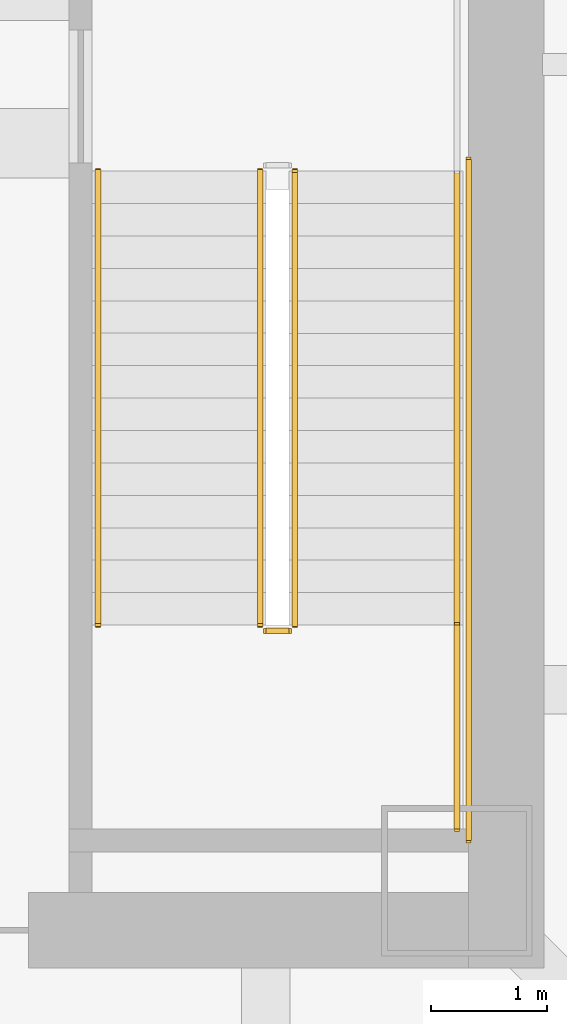
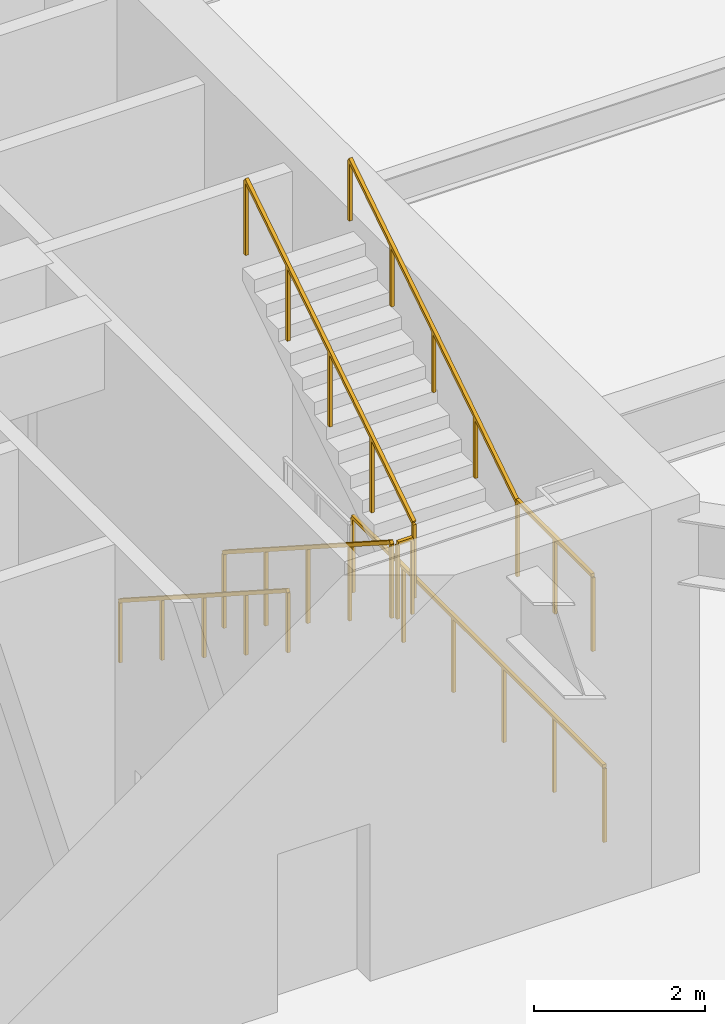
# One storey, part 19 of 26: 7 railings.
"""IFC4 building model written with IfcOpenShell, lengths in metres."""

from ifc_helpers import new_model, si_unit, direction, frame, origin, origin_2d, place, context, subcontext, project, spatial, rectangle, extrude, material, type_object, element, save


model = new_model("IFC4")

# Units and contexts
model_context = context("Model", 3, precision=1e-05, world=origin(), true_north=direction((0.0, 1.0)))
body_context = subcontext(model_context, "Body", "Model", "MODEL_VIEW")
ifc_project = project(units=[si_unit("LENGTHUNIT", "METRE"), si_unit("AREAUNIT", "SQUARE_METRE"), si_unit("VOLUMEUNIT", "CUBIC_METRE"), si_unit("PLANEANGLEUNIT", "RADIAN"), si_unit("MASSUNIT", "GRAM", prefix="KILO")], contexts=[model_context])

# Site, building, storey
site_placement = place(None, origin())
site = spatial("IfcSite", under=ifc_project, at=site_placement, CompositionType="ELEMENT")
building_placement = place(site_placement, origin())
building = spatial("IfcBuilding", under=site, at=building_placement, Name="Tashvorn Skyway Center", CompositionType="ELEMENT")
storey_placement = place(building_placement, origin())
storey = spatial("IfcBuildingStorey", under=building, at=storey_placement, Name="L00", CompositionType="ELEMENT", Elevation=0.0)

# Railings
ifc_material_1 = material(Name="Brushed stainless steel 316", Category="steel")
railing_type_1 = type_object("IfcRailingType", Name="RAIL-HAND-920", PredefinedType="HANDRAIL", material=ifc_material_1)
railing_1_placement = place(storey_placement, frame((45.949951171875, 31.080078125, 0.179931640625)))
element("IfcRailing", 1, at=railing_1_placement, inside=storey, type_object=railing_type_1, Name="L00 ST-T1-2 stair handrail 1", PredefinedType="HANDRAIL", context=body_context, shape_type="SweptSolid", body=[
    extrude(rectangle(XDim=0.048095703125, YDim=0.048095703125, at=origin_2d()), frame((0.0, 0.0, 0.8759765625), z_axis=(0.0, -0.841186985886, 0.540744352514), x_axis=(1.0, 0.0, 0.0)), (0.0, 0.0, 1.0), 4.660400390625),
    extrude(rectangle(XDim=0.0419921875, YDim=0.0419921875, at=origin_2d()), origin(), (0.0, 0.0, 1.0), 0.851806640625),
    extrude(rectangle(XDim=0.0419921875, YDim=0.0419921875, at=origin_2d()), frame((0.0, -0.97998046875, 0.6298828125)), (0.0, 0.0, 1.0), 0.851806640625),
    extrude(rectangle(XDim=0.0419921875, YDim=0.0419921875, at=origin_2d()), frame((0.0, -1.9599609375, 1.260009765625)), (0.0, 0.0, 1.0), 0.851806640625),
    extrude(rectangle(XDim=0.0419921875, YDim=0.0419921875, at=origin_2d()), frame((0.0, -2.940185546875, 1.89013671875)), (0.0, 0.0, 1.0), 0.851806640625),
    extrude(rectangle(XDim=0.0419921875, YDim=0.0419921875, at=origin_2d()), frame((0.0, -3.920166015625, 2.52001953125)), (0.0, 0.0, 1.0), 0.851806640625),
])
railing_2_placement = place(storey_placement, frame((49.050048828125, 27.159912109375, 2.8798828125)))
element("IfcRailing", 2, at=railing_2_placement, inside=storey, type_object=railing_type_1, Name="L00 ST-T1-2 stair handrail 2", PredefinedType="HANDRAIL", context=body_context, shape_type="SweptSolid", body=[
    extrude(rectangle(XDim=0.048095703125, YDim=0.048095703125, at=origin_2d()), frame((0.0, 0.0, 0.8759765625), z_axis=(0.0, 0.841186985886, 0.540744352514), x_axis=(-1.0, 0.0, 0.0)), (0.0, 0.0, 1.0), 4.660400390625),
    extrude(rectangle(XDim=0.0419921875, YDim=0.0419921875, at=origin_2d()), origin(), (0.0, 0.0, 1.0), 0.851806640625),
    extrude(rectangle(XDim=0.0419921875, YDim=0.0419921875, at=origin_2d()), frame((0.0, 0.97998046875, 0.6298828125)), (0.0, 0.0, 1.0), 0.851806640625),
    extrude(rectangle(XDim=0.0419921875, YDim=0.0419921875, at=origin_2d()), frame((0.0, 1.9599609375, 1.260009765625)), (0.0, 0.0, 1.0), 0.851806640625),
    extrude(rectangle(XDim=0.0419921875, YDim=0.0419921875, at=origin_2d()), frame((0.0, 2.940185546875, 1.89013671875)), (0.0, 0.0, 1.0), 0.851806640625),
    extrude(rectangle(XDim=0.0419921875, YDim=0.0419921875, at=origin_2d()), frame((0.0, 3.920166015625, 2.52001953125)), (0.0, 0.0, 1.0), 0.851806640625),
])
ifc_material_2 = material(Name="Painted galvanized steel S355", Category="steel")
railing_type_2 = type_object("IfcRailingType", Name="RAIL-STGUARD-1100", PredefinedType="GUARDRAIL", material=ifc_material_2)
railing_3_placement = place(storey_placement, frame((47.35009765625, 31.080078125, 0.179931640625)))
element("IfcRailing", 3, at=railing_3_placement, inside=storey, type_object=railing_type_2, Name="L00 ST-T1-2 stair guard 1", PredefinedType="GUARDRAIL", context=body_context, shape_type="SweptSolid", body=[
    extrude(rectangle(XDim=0.048095703125, YDim=0.048095703125, at=origin_2d()), frame((0.0, 0.0, 1.076171875), z_axis=(0.0, -0.841186985886, 0.540744352514), x_axis=(1.0, 0.0, 0.0)), (0.0, 0.0, 1.0), 4.660400390625),
    extrude(rectangle(XDim=0.0419921875, YDim=0.0419921875, at=origin_2d()), origin(), (0.0, 0.0, 1.0), 1.052001953125),
    extrude(rectangle(XDim=0.0419921875, YDim=0.0419921875, at=origin_2d()), frame((0.0, -0.97998046875, 0.6298828125)), (0.0, 0.0, 1.0), 1.052001953125),
    extrude(rectangle(XDim=0.0419921875, YDim=0.0419921875, at=origin_2d()), frame((0.0, -1.9599609375, 1.260009765625)), (0.0, 0.0, 1.0), 1.052001953125),
    extrude(rectangle(XDim=0.0419921875, YDim=0.0419921875, at=origin_2d()), frame((0.0, -2.940185546875, 1.89013671875)), (0.0, 0.0, 1.0), 1.052001953125),
    extrude(rectangle(XDim=0.0419921875, YDim=0.0419921875, at=origin_2d()), frame((0.0, -3.920166015625, 2.52001953125)), (0.0, 0.0, 1.0), 1.052001953125),
])
railing_4_placement = place(storey_placement, frame((47.39990234375, 27.110107421875, 2.699951171875)))
element("IfcRailing", 4, at=railing_4_placement, inside=storey, type_object=railing_type_2, Name="L00 ST-T1-2 stair guard 2", PredefinedType="GUARDRAIL", context=body_context, shape_type="SweptSolid", body=[
    extrude(rectangle(XDim=0.048095703125, YDim=0.048095703125, at=origin_2d()), frame((0.0, 0.0, 1.076171875), z_axis=(1.0, 0.0, 0.0), x_axis=(0.0, 1.0, 0.0)), (0.0, 0.0, 1.0), 0.2001953125),
    extrude(rectangle(XDim=0.0419921875, YDim=0.0419921875, at=origin_2d()), origin(), (0.0, 0.0, 1.0), 1.052001953125),
    extrude(rectangle(XDim=0.0419921875, YDim=0.0419921875, at=origin_2d()), frame((0.2001953125, 0.0, 0.0)), (0.0, 0.0, 1.0), 1.052001953125),
])
railing_5_placement = place(storey_placement, frame((49.050048828125, 27.159912109375, 2.699951171875)))
element("IfcRailing", 5, at=railing_5_placement, inside=storey, type_object=railing_type_2, Name="L00 ST-T1-2 stair guard 3", PredefinedType="GUARDRAIL", context=body_context, shape_type="SweptSolid", body=[
    extrude(rectangle(XDim=0.048095703125, YDim=0.048095703125, at=origin_2d()), frame((0.0, 0.0, 1.076171875), z_axis=(0.0, -1.0, 0.0), x_axis=(1.0, 0.0, 0.0)), (0.0, 0.0, 1.0), 1.760009765625),
    extrude(rectangle(XDim=0.0419921875, YDim=0.0419921875, at=origin_2d()), origin(), (0.0, 0.0, 1.0), 1.052001953125),
    extrude(rectangle(XDim=0.0419921875, YDim=0.0419921875, at=origin_2d()), frame((0.0, -0.8798828125, 0.0)), (0.0, 0.0, 1.0), 1.052001953125),
    extrude(rectangle(XDim=0.0419921875, YDim=0.0419921875, at=origin_2d()), frame((0.0, -1.760009765625, 0.0)), (0.0, 0.0, 1.0), 1.052001953125),
])
railing_6_placement = place(storey_placement, frame((47.64990234375, 27.159912109375, 2.8798828125)))
element("IfcRailing", 6, at=railing_6_placement, inside=storey, type_object=railing_type_2, Name="L00 ST-T1-2 stair guard 4", PredefinedType="GUARDRAIL", context=body_context, shape_type="SweptSolid", body=[
    extrude(rectangle(XDim=0.048095703125, YDim=0.048095703125, at=origin_2d()), frame((0.0, 0.0, 1.076171875), z_axis=(0.0, 0.841186985886, 0.540744352514), x_axis=(-1.0, 0.0, 0.0)), (0.0, 0.0, 1.0), 4.660400390625),
    extrude(rectangle(XDim=0.0419921875, YDim=0.0419921875, at=origin_2d()), origin(), (0.0, 0.0, 1.0), 1.052001953125),
    extrude(rectangle(XDim=0.0419921875, YDim=0.0419921875, at=origin_2d()), frame((0.0, 0.97998046875, 0.6298828125)), (0.0, 0.0, 1.0), 1.052001953125),
    extrude(rectangle(XDim=0.0419921875, YDim=0.0419921875, at=origin_2d()), frame((0.0, 1.9599609375, 1.260009765625)), (0.0, 0.0, 1.0), 1.052001953125),
    extrude(rectangle(XDim=0.0419921875, YDim=0.0419921875, at=origin_2d()), frame((0.0, 2.940185546875, 1.89013671875)), (0.0, 0.0, 1.0), 1.052001953125),
    extrude(rectangle(XDim=0.0419921875, YDim=0.0419921875, at=origin_2d()), frame((0.0, 3.920166015625, 2.52001953125)), (0.0, 0.0, 1.0), 1.052001953125),
])
railing_7_placement = place(storey_placement, frame((49.14990234375, 31.179931640625, 0.0)))
element("IfcRailing", 7, at=railing_7_placement, inside=storey, type_object=railing_type_2, Name="L00 ST-T1-2 stair guard 7", PredefinedType="GUARDRAIL", context=body_context, shape_type="SweptSolid", body=[
    extrude(rectangle(XDim=0.048095703125, YDim=0.048095703125, at=origin_2d()), frame((0.0, 0.0, 1.076171875), z_axis=(0.0, -1.0, 0.0), x_axis=(1.0, 0.0, 0.0)), (0.0, 0.0, 1.0), 5.8798828125),
    extrude(rectangle(XDim=0.0419921875, YDim=0.0419921875, at=origin_2d()), origin(), (0.0, 0.0, 1.0), 1.052001953125),
    extrude(rectangle(XDim=0.0419921875, YDim=0.0419921875, at=origin_2d()), frame((0.0, -1.176025390625, 0.0)), (0.0, 0.0, 1.0), 1.052001953125),
    extrude(rectangle(XDim=0.0419921875, YDim=0.0419921875, at=origin_2d()), frame((0.0, -2.35205078125, 0.0)), (0.0, 0.0, 1.0), 1.052001953125),
    extrude(rectangle(XDim=0.0419921875, YDim=0.0419921875, at=origin_2d()), frame((0.0, -3.52783203125, 0.0)), (0.0, 0.0, 1.0), 1.052001953125),
    extrude(rectangle(XDim=0.0419921875, YDim=0.0419921875, at=origin_2d()), frame((0.0, -4.703857421875, 0.0)), (0.0, 0.0, 1.0), 1.052001953125),
    extrude(rectangle(XDim=0.0419921875, YDim=0.0419921875, at=origin_2d()), frame((0.0, -5.8798828125, 0.0)), (0.0, 0.0, 1.0), 1.052001953125),
])

save(model, "model.ifc")
